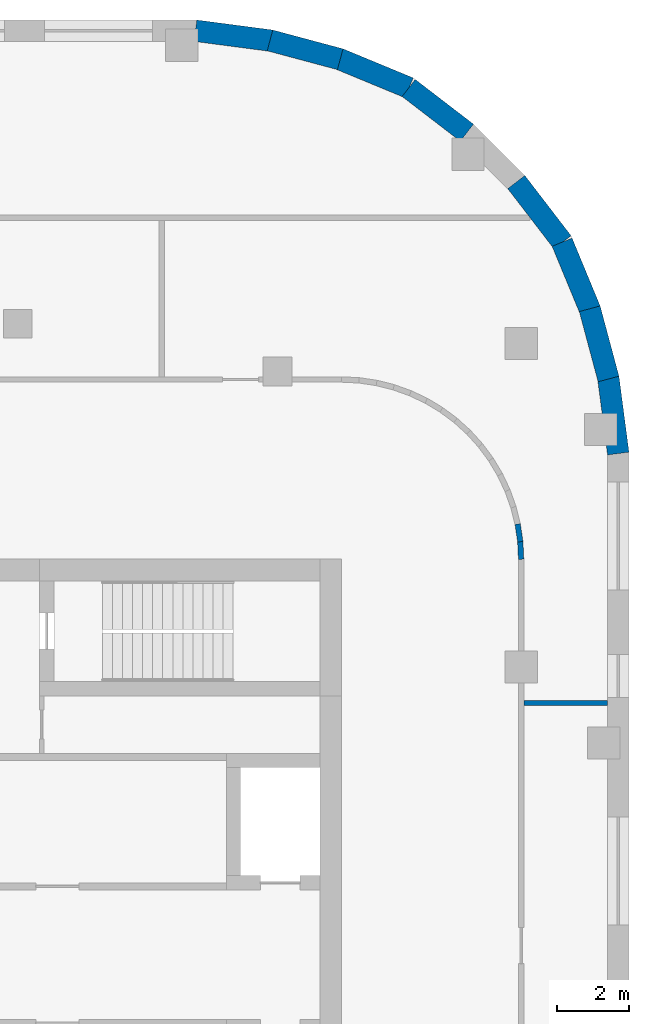
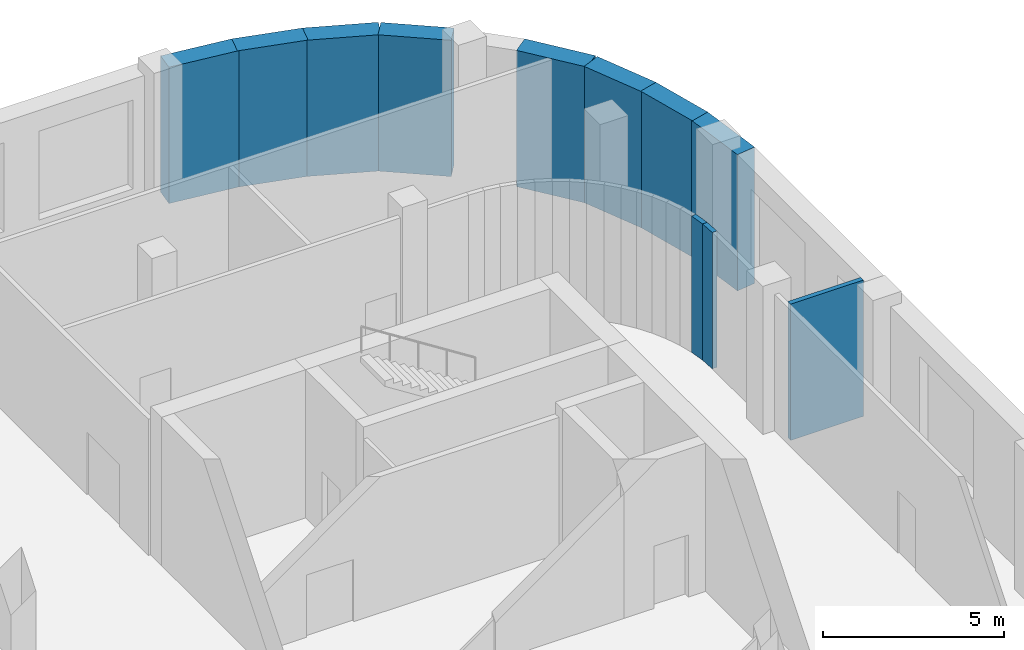
# One storey, part 17 of 20: 11 walls.
"""IFC4 building model written with IfcOpenShell, lengths in metres."""

from ifc_helpers import new_model, si_unit, direction, frame, frame_2d, origin, place, context, subcontext, project, spatial, rectangle, extrude, material, layer, layer_set, type_object, element, save


model = new_model("IFC4")

# Units and contexts
model_context = context("Model", 3, precision=1e-05, world=origin(), true_north=direction((0.0, 1.0)))
body_context = subcontext(model_context, "Body", "Model", "MODEL_VIEW")
ifc_project = project(units=[si_unit("LENGTHUNIT", "METRE"), si_unit("AREAUNIT", "SQUARE_METRE"), si_unit("VOLUMEUNIT", "CUBIC_METRE"), si_unit("PLANEANGLEUNIT", "RADIAN"), si_unit("MASSUNIT", "GRAM", prefix="KILO")], contexts=[model_context])

# Site, building, storey
site_placement = place(None, origin())
site = spatial("IfcSite", under=ifc_project, at=site_placement, CompositionType="ELEMENT")
building_placement = place(site_placement, origin())
building = spatial("IfcBuilding", under=site, at=building_placement, Name="Skarvind Civic Tower", CompositionType="ELEMENT")
storey_placement = place(building_placement, frame((0.0, 0.0, 17.5)))
storey = spatial("IfcBuildingStorey", under=building, at=storey_placement, Name="L03", CompositionType="ELEMENT", Elevation=17.5)

# Walls
ifc_material_1 = material(Name="Plasterboard partition on steel studs", Category="steel")
ifc_layer_1 = layer(ifc_material_1, 0.14990234375)
ifc_layer_set_1 = layer_set([ifc_layer_1], Name="PARTITION 150")
wall_type_1 = type_object("IfcWallType", Name="PARTITION 150", PredefinedType="PARTITIONING", material=ifc_layer_set_1)
wall_1_placement = place(storey_placement, frame((171.903076171875, 139.97900390625, 0.0), z_axis=(0.0, 0.0, 1.0), x_axis=(0.148412307247, -0.988925572052, 0.0)))
element("IfcWall", 1, at=wall_1_placement, inside=storey, type_object=wall_type_1, Name="Podium partition L03 316", PredefinedType="PARTITIONING", context=body_context, shape_type="SweptSolid", body=[
    extrude(rectangle(XDim=0.49853515625, YDim=0.14990234375, at=frame_2d((0.249267578125, 0.0))), origin(), (0.0, 0.0, 1.0), 4.60009765625),
])
wall_2_placement = place(storey_placement, frame((171.97607421875, 139.493896484375, 0.0), z_axis=(0.0, 0.0, 1.0), x_axis=(0.048196018647, -0.998837896651, 0.0)))
element("IfcWall", 2, at=wall_2_placement, inside=storey, type_object=wall_type_1, Name="Podium partition L03 318", PredefinedType="PARTITIONING", context=body_context, shape_type="SweptSolid", body=[
    extrude(rectangle(XDim=0.496337890625, YDim=0.14990234375, at=frame_2d((0.248046875, 0.0))), origin(), (0.0, 0.0, 1.0), 4.60009765625),
])
wall_3_placement = place(storey_placement, frame((172.074951171875, 135.0, 0.0), z_axis=(0.0, 0.0, 1.0), x_axis=(1.0, 0.0, 0.0)))
element("IfcWall", 3, at=wall_3_placement, inside=storey, type_object=wall_type_1, Name="Podium partition L03 321", PredefinedType="PARTITIONING", context=body_context, shape_type="SweptSolid", body=[
    extrude(rectangle(XDim=2.324951171875, YDim=0.14990234375, at=frame_2d((1.16259765625, 0.0))), origin(), (0.0, 0.0, 1.0), 4.60009765625),
])
ifc_material_2 = material(Name="Limestone masonry cladding on insulated backing", Category="masonry")
ifc_layer_2 = layer(ifc_material_2, 0.60009765625)
ifc_layer_set_2 = layer_set([ifc_layer_2], Name="WX1 STONE FACADE WALL 600")
wall_type_2 = type_object("IfcWallType", Name="WX1 STONE FACADE WALL 600", PredefinedType="SOLIDWALL", material=ifc_layer_set_2)
wall_4_placement = place(storey_placement, frame((174.42431640625, 144.052490234375, 0.0), z_axis=(0.0, 0.0, 1.0), x_axis=(0.130558200013, -0.991440646942, 0.0)))
element("IfcWall", 4, at=wall_4_placement, inside=storey, type_object=wall_type_2, Name="STONE FACADE WALL", PredefinedType="SOLIDWALL", context=body_context, shape_type="SweptSolid", body=[
    extrude(rectangle(XDim=2.1318359375, YDim=0.60009765625, at=frame_2d((1.06591796875, 0.0))), origin(), (0.0, 0.0, 1.0), 4.60009765625),
])
wall_5_placement = place(storey_placement, frame((173.908447265625, 145.967529296875, 0.0), z_axis=(0.0, 0.0, 1.0), x_axis=(0.258804467146, -0.965929732323, 0.0)))
element("IfcWall", 5, at=wall_5_placement, inside=storey, type_object=wall_type_2, Name="STONE FACADE WALL", PredefinedType="SOLIDWALL", context=body_context, shape_type="SweptSolid", body=[
    extrude(rectangle(XDim=2.0224609375, YDim=0.60009765625, at=frame_2d((1.01123046875, 0.0))), origin(), (0.0, 0.0, 1.0), 4.60009765625),
])
wall_6_placement = place(storey_placement, frame((173.1396484375, 147.8193359375, 0.0), z_axis=(0.0, 0.0, 1.0), x_axis=(0.382341242798, -0.924021197839, 0.0)))
element("IfcWall", 6, at=wall_6_placement, inside=storey, type_object=wall_type_2, Name="STONE FACADE WALL", PredefinedType="SOLIDWALL", context=body_context, shape_type="SweptSolid", body=[
    extrude(rectangle(XDim=2.0439453125, YDim=0.60009765625, at=frame_2d((1.02197265625, 0.0))), origin(), (0.0, 0.0, 1.0), 4.60009765625),
])
wall_7_placement = place(storey_placement, frame((171.864501953125, 149.49267578125, 0.0), z_axis=(0.0, 0.0, 1.0), x_axis=(0.609052002567, -0.79313029079, 0.0)))
element("IfcWall", 7, at=wall_7_placement, inside=storey, type_object=wall_type_2, Name="STONE FACADE WALL", PredefinedType="SOLIDWALL", context=body_context, shape_type="SweptSolid", body=[
    extrude(rectangle(XDim=2.114013671875, YDim=0.60009765625, at=frame_2d((1.05712890625, 0.0))), origin(), (0.0, 0.0, 1.0), 4.60009765625),
])
wall_8_placement = place(storey_placement, frame((168.87158203125, 152.109375, 0.0), z_axis=(0.0, 0.0, 1.0), x_axis=(0.793125485267, -0.609058260448, 0.0)))
element("IfcWall", 8, at=wall_8_placement, inside=storey, type_object=wall_type_2, Name="STONE FACADE WALL", PredefinedType="SOLIDWALL", context=body_context, shape_type="SweptSolid", body=[
    extrude(rectangle(XDim=2.0439453125, YDim=0.60009765625, at=frame_2d((1.02197265625, 0.0))), origin(), (0.0, 0.0, 1.0), 4.60009765625),
])
wall_9_placement = place(storey_placement, frame((166.9306640625, 152.921142578125, 0.0), z_axis=(0.0, 0.0, 1.0), x_axis=(0.924006983526, -0.382375593358, 0.0)))
element("IfcWall", 9, at=wall_9_placement, inside=storey, type_object=wall_type_2, Name="STONE FACADE WALL", PredefinedType="SOLIDWALL", context=body_context, shape_type="SweptSolid", body=[
    extrude(rectangle(XDim=2.114013671875, YDim=0.60009765625, at=frame_2d((1.05712890625, 0.0))), origin(), (0.0, 0.0, 1.0), 4.60009765625),
])
wall_10_placement = place(storey_placement, frame((165.013916015625, 153.431884765625, 0.0), z_axis=(0.0, 0.0, 1.0), x_axis=(0.965929732323, -0.258804467146, 0.0)))
element("IfcWall", 10, at=wall_10_placement, inside=storey, type_object=wall_type_2, Name="STONE FACADE WALL", PredefinedType="SOLIDWALL", context=body_context, shape_type="SweptSolid", body=[
    extrude(rectangle(XDim=2.0224609375, YDim=0.60009765625, at=frame_2d((1.01123046875, 0.0))), origin(), (0.0, 0.0, 1.0), 4.60009765625),
])
wall_11_placement = place(storey_placement, frame((162.93896484375, 153.70263671875, 0.0), z_axis=(0.0, 0.0, 1.0), x_axis=(0.991440646942, -0.130558200013, 0.0)))
element("IfcWall", 11, at=wall_11_placement, inside=storey, type_object=wall_type_2, Name="STONE FACADE WALL", PredefinedType="SOLIDWALL", context=body_context, shape_type="SweptSolid", body=[
    extrude(rectangle(XDim=2.1318359375, YDim=0.60009765625, at=frame_2d((1.06591796875, 0.0))), origin(), (0.0, 0.0, 1.0), 4.60009765625),
])

save(model, "model.ifc")
